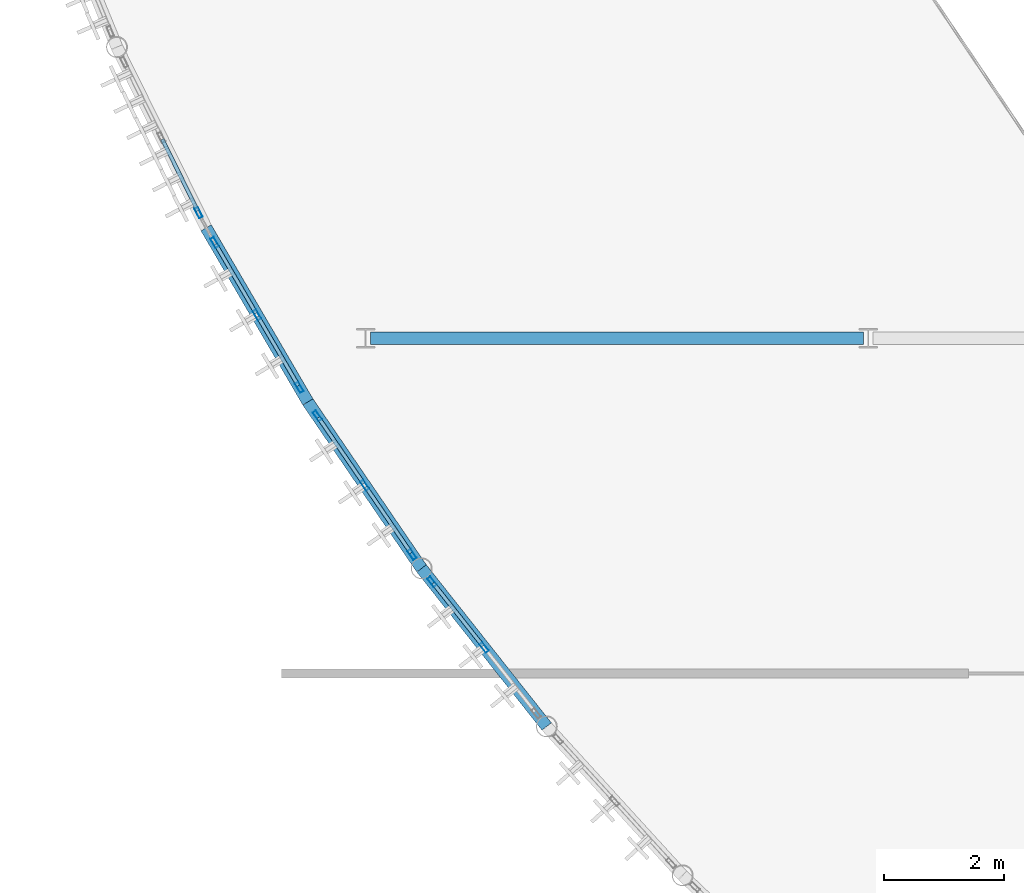
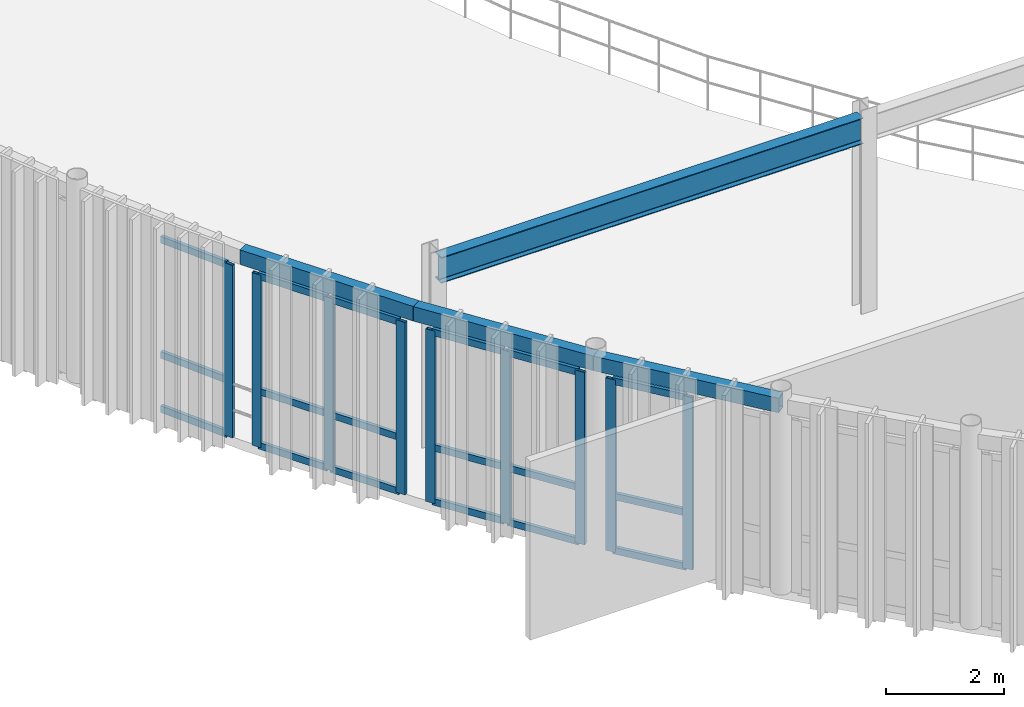
# One storey, part 10 of 32: 27 members, 4 beams, 4 elements without a shape of their own.
"""IFC4 building model written with IfcOpenShell, lengths in metres."""

import ifcopenshell
import ifcopenshell.guid

model = None  # the IFC model being written
_history = None  # IfcOwnerHistory: only IFC2X3 demands one
_inside = {}  # id of a spatial element -> (the spatial element, [elements in it])
_under = {}  # id of a project, library or spatial element -> (it, [spatial elements below it])
_declared = {}  # id of a project -> (the project, [libraries it declares])
_typed = {}  # id of a type object -> (the type object, [elements of that type])
_made_of = {}  # id of a material, layer set ... -> (it, [elements and type objects made of it])


def new_model(schema):
    """Start an empty IFC model of exactly this schema.

    Asked for "IFC4X3", IfcOpenShell would pick the latest addendum, in which some entities
    have other attributes; the version numbers below select the first issue.
    IFC2X3 requires an IfcOwnerHistory on every rooted entity: one is made here for all.
    """
    global model, _history
    if schema == "IFC4X3":
        model = ifcopenshell.file(schema_version=(4, 3, 0, 0))
    else:
        model = ifcopenshell.file(schema=schema)
    _inside.clear()
    _under.clear()
    _declared.clear()
    _typed.clear()
    _made_of.clear()
    _history = None
    if model.schema == "IFC2X3":
        org = make("IfcOrganization", Name="unknown")
        user = make(
            "IfcPersonAndOrganization",
            ThePerson=make("IfcPerson", FamilyName="unknown"),
            TheOrganization=org,
        )
        app = make(
            "IfcApplication",
            ApplicationDeveloper=org,
            Version="unknown",
            ApplicationFullName="unknown",
            ApplicationIdentifier="unknown",
        )
        _history = make(
            "IfcOwnerHistory",
            OwningUser=user,
            OwningApplication=app,
            ChangeAction="ADDED",
            CreationDate=0,
        )
    return model


def make(cls, **values):
    """One entity of the class cls with the attributes given. An attribute that is None is left unset."""
    return model.create_entity(
        cls, **{name: value for name, value in values.items() if value is not None}
    )


def rooted(cls, **values):
    """An entity with a GlobalId (a new one), such as an element, a storey or a relation."""
    return make(cls, GlobalId=ifcopenshell.guid.new(), OwnerHistory=_history, **values)


def si_unit(unit_type, name, prefix=None):
    """IfcSIUnit, for example si_unit("LENGTHUNIT", "METRE", prefix="MILLI")."""
    return make("IfcSIUnit", UnitType=unit_type, Prefix=prefix, Name=name)


def assignment(units):
    """IfcUnitAssignment: the units of a project."""
    return None if units is None else make("IfcUnitAssignment", Units=units)


def point(xyz):
    """IfcCartesianPoint."""
    return None if xyz is None else make("IfcCartesianPoint", Coordinates=xyz)


def direction(xyz):
    """IfcDirection."""
    return None if xyz is None else make("IfcDirection", DirectionRatios=xyz)


def frame(location, z_axis=None, x_axis=None):
    """IfcAxis2Placement3D, a coordinate frame: its origin and axes. An axis left out is left unset."""
    return make(
        "IfcAxis2Placement3D",
        Location=point(location),
        Axis=direction(z_axis),
        RefDirection=direction(x_axis),
    )


def frame_2d(location, x_axis=None):
    """IfcAxis2Placement2D, a coordinate frame in the plane: its origin and x axis."""
    return make(
        "IfcAxis2Placement2D", Location=point(location), RefDirection=direction(x_axis)
    )


def origin():
    """The frame at (0, 0, 0) with its axes left unset."""
    return frame((0.0, 0.0, 0.0))


def origin_2d():
    """The frame at (0, 0) in the plane with its x axis left unset."""
    return frame_2d((0.0, 0.0))


def place(relative_to, where):
    """IfcLocalPlacement: puts the frame where relative to a parent placement (None: the world)."""
    return make(
        "IfcLocalPlacement", PlacementRelTo=relative_to, RelativePlacement=where
    )


def context(
    kind, dimensions, precision=None, world=None, true_north=None, identifier=None
):
    """IfcGeometricRepresentationContext, for example the 3D "Model" context."""
    return make(
        "IfcGeometricRepresentationContext",
        ContextIdentifier=identifier,
        ContextType=kind,
        CoordinateSpaceDimension=dimensions,
        Precision=precision,
        WorldCoordinateSystem=world,
        TrueNorth=true_north,
    )


def subcontext(parent, identifier, kind, view, scale=None):
    """IfcGeometricRepresentationSubContext, for example "Body" below "Model"."""
    return make(
        "IfcGeometricRepresentationSubContext",
        ContextIdentifier=identifier,
        ContextType=kind,
        ParentContext=parent,
        TargetScale=scale,
        TargetView=view,
    )


def project(units=None, contexts=None):
    """IfcProject with its units and contexts."""
    return rooted(
        "IfcProject",
        Name="project",
        RepresentationContexts=contexts,
        UnitsInContext=assignment(units),
    )


def spatial(cls, under=None, at=None, **own):
    """A site, building, storey or space (cls), placed at a placement, below another one or the project."""
    s = rooted(cls, ObjectPlacement=at, **own)
    if under is not None:
        _under.setdefault(under.id(), (under, []))[1].append(s)
    return s


def profile(cls, at=None, kind="AREA", **sizes):
    """A parametric profile (cls). Its sizes go by their IFC names, for example OverallWidth=200.0."""
    return make(cls, ProfileType=kind, Position=at, **sizes)


def hollow_rectangle(**sizes):
    """IfcRectangleHollowProfileDef."""
    return profile("IfcRectangleHollowProfileDef", **sizes)


def i_section(**sizes):
    """IfcIShapeProfileDef."""
    return profile("IfcIShapeProfileDef", **sizes)


def extrude(swept, where, along, depth):
    """IfcExtrudedAreaSolid: the profile swept, set in the frame where, extruded along a direction by depth."""
    return make(
        "IfcExtrudedAreaSolid",
        SweptArea=swept,
        Position=where,
        ExtrudedDirection=direction(along),
        Depth=depth,
    )


def shape(context_of_items, identifier, shape_type, items):
    """IfcShapeRepresentation: the items that make up one representation, for example the "Body"."""
    return make(
        "IfcShapeRepresentation",
        ContextOfItems=context_of_items,
        RepresentationIdentifier=identifier,
        RepresentationType=shape_type,
        Items=items,
    )


def material(Name=None, Category=None):
    """IfcMaterial."""
    return make("IfcMaterial", Name=Name, Category=Category)


def layer(
    of_material, thickness, ventilated=None, Name=None, Category=None, Priority=None
):
    """IfcMaterialLayer: one layer of a wall or slab, of a material (None: an air gap)."""
    return make(
        "IfcMaterialLayer",
        Material=of_material,
        LayerThickness=thickness,
        IsVentilated=ventilated,
        Name=Name,
        Category=Category,
        Priority=Priority,
    )


def layer_set(layers, Name=None):
    """IfcMaterialLayerSet."""
    return make("IfcMaterialLayerSet", MaterialLayers=layers, LayerSetName=Name)


def material_profile(
    of_material, cross_section, Name=None, Category=None, Priority=None
):
    """IfcMaterialProfile: a cross section and its material."""
    return make(
        "IfcMaterialProfile",
        Name=Name,
        Material=of_material,
        Profile=cross_section,
        Priority=Priority,
        Category=Category,
    )


def profile_set(profiles, Name=None, composite=None):
    """IfcMaterialProfileSet."""
    return make(
        "IfcMaterialProfileSet",
        Name=Name,
        MaterialProfiles=profiles,
        CompositeProfile=composite,
    )


def made_of(thing, what):
    """Note that an element or type object is made of a material, layer set ...; save() writes the relation."""
    if what is not None:
        _made_of.setdefault(what.id(), (what, []))[1].append(thing)
    return thing


def type_object(cls, material=None, **own):
    """A type object (cls), such as IfcWallType, which elements share."""
    return made_of(rooted(cls, **own), material)


def element(
    cls,
    number,
    at=None,
    inside=None,
    cuts=None,
    type_object=None,
    material=None,
    context=None,
    identifier="Body",
    shape_type=None,
    held_by="IfcProductDefinitionShape",
    body=None,
    shapes=None,
    **own,
):
    """One element of the class cls, such as IfcWall. Its Tag is "e" and its number.

    at: its placement. inside: the storey or other place that contains it. cuts: it is an
    opening in that element (IfcRelVoidsElement). A single representation is given by context,
    identifier, shape_type and body (its items); several are given by shapes. held_by: the class
    of the entity that holds the representations. save() writes the other relations.
    """
    e = rooted(cls, Tag="e%d" % number, ObjectPlacement=at, **own)
    if body is not None:
        shapes = [shape(context, identifier, shape_type, body)]
    if shapes is not None:
        e.Representation = make(held_by, Representations=shapes)
    if inside is not None:
        _inside.setdefault(inside.id(), (inside, []))[1].append(e)
    if cuts is not None:
        rooted(
            "IfcRelVoidsElement", RelatingBuildingElement=cuts, RelatedOpeningElement=e
        )
    if type_object is not None:
        _typed.setdefault(type_object.id(), (type_object, []))[1].append(e)
    return made_of(e, material)


def aggregate(whole, parts):
    """IfcRelAggregates: a whole, such as a stair, and the parts it consists of."""
    return rooted("IfcRelAggregates", RelatingObject=whole, RelatedObjects=parts)


def save(model, path):
    """Write the relations noted so far, then the file.

    IfcRelAggregates (storeys below a building ...), IfcRelContainedInSpatialStructure (elements
    in a storey), IfcRelDefinesByType, IfcRelAssociatesMaterial and IfcRelDeclares: one each for
    every whole, place, type object, material and project.
    """
    for whole, parts in _under.values():
        aggregate(whole, parts)
    for where, things in _inside.values():
        rooted(
            "IfcRelContainedInSpatialStructure",
            RelatedElements=things,
            RelatingStructure=where,
        )
    for kind, things in _typed.values():
        rooted("IfcRelDefinesByType", RelatedObjects=things, RelatingType=kind)
    for what, things in _made_of.values():
        rooted("IfcRelAssociatesMaterial", RelatedObjects=things, RelatingMaterial=what)
    for by, libraries in _declared.values():
        rooted("IfcRelDeclares", RelatingContext=by, RelatedDefinitions=libraries)
    model.write(path)


model = new_model("IFC4")

# Units and contexts
model_context = context("Model", 3, precision=1e-05, world=origin(), true_north=direction((0.0, 1.0)))
body_context = subcontext(model_context, "Body", "Model", "MODEL_VIEW")
ifc_project = project(units=[si_unit("LENGTHUNIT", "METRE"), si_unit("AREAUNIT", "SQUARE_METRE"), si_unit("VOLUMEUNIT", "CUBIC_METRE"), si_unit("PLANEANGLEUNIT", "RADIAN"), si_unit("MASSUNIT", "GRAM", prefix="KILO")], contexts=[model_context])

# Site, building, storey
site_placement = place(None, origin())
site = spatial("IfcSite", under=ifc_project, at=site_placement, CompositionType="ELEMENT")
building_placement = place(site_placement, origin())
building = spatial("IfcBuilding", under=site, at=building_placement, Name="Selat Folded Stagehouse", CompositionType="ELEMENT")
storey_placement = place(building_placement, frame((0.0, 0.0, 19.199951171875)))
storey = spatial("IfcBuildingStorey", under=building, at=storey_placement, Name="L04", CompositionType="ELEMENT", Elevation=19.199951171875)

# Beam
ifc_material_1 = material(Name="Steel S355", Category="steel")
ifc_material_profile_1 = material_profile(ifc_material_1, i_section(OverallWidth=0.209228515625, OverallDepth=0.533203125, WebThickness=0.010009765625, FlangeThickness=0.015625, FilletRadius=0.0126953125, at=origin_2d()), Name="UKB 533x210x92")
ifc_profile_set_1 = profile_set([ifc_material_profile_1], Name="Steel S355")
beam_type_1 = type_object("IfcBeamType", Name="BM-GIRD-533x210x92", PredefinedType="BEAM", material=ifc_profile_set_1)
beam_1_placement = place(storey_placement, frame((8.47998046875, 23.39990234375, 3.733642578125), z_axis=(1.0, 0.0, 0.0), x_axis=(0.0, 1.0, 0.0)))
element("IfcBeam", 1, at=beam_1_placement, inside=storey, type_object=beam_type_1, Name="L04 primary x-girder 1359", PredefinedType="BEAM", context=body_context, shape_type="SweptSolid", body=[
    extrude(i_section(OverallWidth=0.209228515625, OverallDepth=0.533203125, WebThickness=0.010009765625, FlangeThickness=0.015625, FilletRadius=0.0126953125, at=origin_2d()), origin(), (0.0, 0.0, 1.0), 8.239990234375),
])

# Curtain wall, member
ifc_material_2 = material(Name="Aluminium 6063-T6", Category="aluminium")
ifc_layer = layer(ifc_material_2, 0.18505859375)
ifc_layer_set = layer_set([ifc_layer], Name="Aluminium 6063-T6")
curtain_wall_type = type_object("IfcCurtainWallType", Name="CW-DRM-UPPER", PredefinedType="NOTDEFINED", material=ifc_layer_set)
curtain_wall_1_placement = place(storey_placement, origin())
curtain_wall_1 = element("IfcCurtainWall", 2, at=curtain_wall_1_placement, inside=storey, type_object=curtain_wall_type, Name="L04 curtain wall CW-DRM-L04-08", PredefinedType="NOTDEFINED")
ifc_material_profile_2 = material_profile(ifc_material_2, hollow_rectangle(XDim=0.06494140625, YDim=0.179931640625, WallThickness=0.00390625, at=origin_2d()), Name="ALU 180x65x4.0")
ifc_profile_set_2 = profile_set([ifc_material_profile_2], Name="Aluminium 6063-T6")
member_type_1 = type_object("IfcMemberType", Name="CWM-MUL-180x65", PredefinedType="MULLION", material=ifc_profile_set_2)
member_1_placement = place(storey_placement, frame((5.61083984375, 25.4990234375, 0.0), z_axis=(0.0, 0.0, 1.0), x_axis=(-0.896598356392, -0.442844653705, 0.0)))
member_1 = element("IfcMember", 3, at=member_1_placement, type_object=member_type_1, Name="CW-03 mullion 1", PredefinedType="MULLION", context=body_context, shape_type="SweptSolid", body=[
    extrude(hollow_rectangle(XDim=0.06494140625, YDim=0.179931640625, WallThickness=0.00390625, at=origin_2d()), origin(), (0.0, 0.0, 1.0), 3.56005859375),
])

# Curtain wall, members
curtain_wall_2_placement = place(storey_placement, origin())
curtain_wall_2 = element("IfcCurtainWall", 4, at=curtain_wall_2_placement, inside=storey, type_object=curtain_wall_type, Name="L04 curtain wall CW-DRM-L04-09", PredefinedType="NOTDEFINED")
member_2_placement = place(storey_placement, frame((7.293701171875, 22.5810546875, 0.0), z_axis=(0.0, 0.0, 1.0), x_axis=(-0.863332305214, -0.504635839764, 0.0)))
member_2 = element("IfcMember", 5, at=member_2_placement, type_object=member_type_1, Name="CW-03 mullion 1", PredefinedType="MULLION", context=body_context, shape_type="SweptSolid", body=[
    extrude(hollow_rectangle(XDim=0.06494140625, YDim=0.179931640625, WallThickness=0.00390625, at=origin_2d()), origin(), (0.0, 0.0, 1.0), 3.56005859375),
])
member_3_placement = place(storey_placement, frame((6.586181640625, 23.79150390625, 0.0), z_axis=(0.0, 0.0, 1.0), x_axis=(-0.863332305214, -0.504635839764, 0.0)))
member_3 = element("IfcMember", 6, at=member_3_placement, type_object=member_type_1, Name="CW-03 mullion 2", PredefinedType="MULLION", context=body_context, shape_type="SweptSolid", body=[
    extrude(hollow_rectangle(XDim=0.06494140625, YDim=0.179931640625, WallThickness=0.00390625, at=origin_2d()), origin(), (0.0, 0.0, 1.0), 3.56005859375),
])
member_4_placement = place(storey_placement, frame((5.878662109375, 25.001953125, 0.0), z_axis=(0.0, 0.0, 1.0), x_axis=(-0.863332305214, -0.504635839764, 0.0)))
member_4 = element("IfcMember", 7, at=member_4_placement, type_object=member_type_1, Name="CW-03 mullion 3", PredefinedType="MULLION", context=body_context, shape_type="SweptSolid", body=[
    extrude(hollow_rectangle(XDim=0.06494140625, YDim=0.179931640625, WallThickness=0.00390625, at=origin_2d()), origin(), (0.0, 0.0, 1.0), 3.56005859375),
])

curtain_wall_3_placement = place(storey_placement, origin())
curtain_wall_3 = element("IfcCurtainWall", 8, at=curtain_wall_3_placement, inside=storey, type_object=curtain_wall_type, Name="L04 curtain wall CW-DRM-L04-10", PredefinedType="NOTDEFINED")
member_5_placement = place(storey_placement, frame((9.1767578125, 19.788330078125, 0.0), z_axis=(0.0, 0.0, 1.0), x_axis=(-0.825810483709, -0.563947732504, 0.0)))
member_5 = element("IfcMember", 9, at=member_5_placement, type_object=member_type_1, Name="CW-03 mullion 1", PredefinedType="MULLION", context=body_context, shape_type="SweptSolid", body=[
    extrude(hollow_rectangle(XDim=0.06494140625, YDim=0.179931640625, WallThickness=0.00390625, at=origin_2d()), origin(), (0.0, 0.0, 1.0), 3.56005859375),
])
member_6_placement = place(storey_placement, frame((8.38623046875, 20.946044921875, 0.0), z_axis=(0.0, 0.0, 1.0), x_axis=(-0.825810483709, -0.563947732504, 0.0)))
member_6 = element("IfcMember", 10, at=member_6_placement, type_object=member_type_1, Name="CW-03 mullion 2", PredefinedType="MULLION", context=body_context, shape_type="SweptSolid", body=[
    extrude(hollow_rectangle(XDim=0.06494140625, YDim=0.179931640625, WallThickness=0.00390625, at=origin_2d()), origin(), (0.0, 0.0, 1.0), 3.56005859375),
])
member_7_placement = place(storey_placement, frame((7.595458984375, 22.10400390625, 0.0), z_axis=(0.0, 0.0, 1.0), x_axis=(-0.825810483709, -0.563947732504, 0.0)))
member_7 = element("IfcMember", 11, at=member_7_placement, type_object=member_type_1, Name="CW-03 mullion 3", PredefinedType="MULLION", context=body_context, shape_type="SweptSolid", body=[
    extrude(hollow_rectangle(XDim=0.06494140625, YDim=0.179931640625, WallThickness=0.00390625, at=origin_2d()), origin(), (0.0, 0.0, 1.0), 3.56005859375),
])

curtain_wall_4_placement = place(storey_placement, origin())
curtain_wall_4 = element("IfcCurtainWall", 12, at=curtain_wall_4_placement, inside=storey, type_object=curtain_wall_type, Name="L04 curtain wall CW-DRM-L04-11", PredefinedType="NOTDEFINED")
member_8_placement = place(storey_placement, frame((10.38134765625, 18.234130859375, 0.0), z_axis=(0.0, 0.0, 1.0), x_axis=(-0.784180094825, -0.620533301992, 0.0)))
member_8 = element("IfcMember", 13, at=member_8_placement, type_object=member_type_1, Name="CW-03 mullion 2", PredefinedType="MULLION", context=body_context, shape_type="SweptSolid", body=[
    extrude(hollow_rectangle(XDim=0.06494140625, YDim=0.179931640625, WallThickness=0.00390625, at=origin_2d()), origin(), (0.0, 0.0, 1.0), 3.56005859375),
])
member_9_placement = place(storey_placement, frame((9.511474609375, 19.33349609375, 0.0), z_axis=(0.0, 0.0, 1.0), x_axis=(-0.784180094825, -0.620533301992, 0.0)))
member_9 = element("IfcMember", 14, at=member_9_placement, type_object=member_type_1, Name="CW-03 mullion 3", PredefinedType="MULLION", context=body_context, shape_type="SweptSolid", body=[
    extrude(hollow_rectangle(XDim=0.06494140625, YDim=0.179931640625, WallThickness=0.00390625, at=origin_2d()), origin(), (0.0, 0.0, 1.0), 3.56005859375),
])

# Member
ifc_material_profile_3 = material_profile(ifc_material_2, hollow_rectangle(XDim=0.06494140625, YDim=0.139892578125, WallThickness=0.00390625, at=origin_2d()), Name="ALU 140x65x4.0")
ifc_profile_set_3 = profile_set([ifc_material_profile_3], Name="Aluminium 6063-T6")
member_type_2 = type_object("IfcMemberType", Name="CWM-TRN-140x65", PredefinedType="USERDEFINED", material=ifc_profile_set_3)
member_10_placement = place(storey_placement, frame((5.596435546875, 25.528076171875, 0.032470703125), z_axis=(-0.442825622785, 0.896607755825, 0.0), x_axis=(-0.896607755825, -0.442825622785, 0.0)))
member_10 = element("IfcMember", 15, at=member_10_placement, type_object=member_type_2, Name="CW-03 transom 1.1", ObjectType="TRANSOM", PredefinedType="USERDEFINED", context=body_context, shape_type="SweptSolid", body=[
    extrude(hollow_rectangle(XDim=0.06494140625, YDim=0.139892578125, WallThickness=0.00390625, at=origin_2d()), origin(), (0.0, 0.0, 1.0), 1.3369140625),
])

member_11_placement = place(storey_placement, frame((5.596435546875, 25.528076171875, 1.150146484375), z_axis=(-0.442825622785, 0.896607755825, 0.0), x_axis=(-0.896607755825, -0.442825622785, 0.0)))
member_11 = element("IfcMember", 16, at=member_11_placement, type_object=member_type_2, Name="CW-03 transom 1.2", ObjectType="TRANSOM", PredefinedType="USERDEFINED", context=body_context, shape_type="SweptSolid", body=[
    extrude(hollow_rectangle(XDim=0.06494140625, YDim=0.139892578125, WallThickness=0.00390625, at=origin_2d()), origin(), (0.0, 0.0, 1.0), 1.3369140625),
])

member_12_placement = place(storey_placement, frame((5.596435546875, 25.528076171875, 3.527587890625), z_axis=(-0.442825622785, 0.896607755825, 0.0), x_axis=(-0.896607755825, -0.442825622785, 0.0)))
member_12 = element("IfcMember", 17, at=member_12_placement, type_object=member_type_2, Name="CW-03 transom 1.3", ObjectType="TRANSOM", PredefinedType="USERDEFINED", context=body_context, shape_type="SweptSolid", body=[
    extrude(hollow_rectangle(XDim=0.06494140625, YDim=0.139892578125, WallThickness=0.00390625, at=origin_2d()), origin(), (0.0, 0.0, 1.0), 1.3369140625),
])

aggregate(curtain_wall_1, [member_1, member_10, member_11, member_12])

member_13_placement = place(storey_placement, frame((7.277099609375, 22.609130859375, 0.032470703125), z_axis=(-0.504552109114, 0.863381242088, 0.0), x_axis=(-0.863381242088, -0.504552109114, 0.0)))
member_13 = element("IfcMember", 18, at=member_13_placement, type_object=member_type_2, Name="CW-03 transom 1.1", ObjectType="TRANSOM", PredefinedType="USERDEFINED", context=body_context, shape_type="SweptSolid", body=[
    extrude(hollow_rectangle(XDim=0.06494140625, YDim=0.139892578125, WallThickness=0.00390625, at=origin_2d()), origin(), (0.0, 0.0, 1.0), 1.3369140625),
])

member_14_placement = place(storey_placement, frame((7.277099609375, 22.609130859375, 1.150146484375), z_axis=(-0.504552109114, 0.863381242088, 0.0), x_axis=(-0.863381242088, -0.504552109114, 0.0)))
member_14 = element("IfcMember", 19, at=member_14_placement, type_object=member_type_2, Name="CW-03 transom 1.2", ObjectType="TRANSOM", PredefinedType="USERDEFINED", context=body_context, shape_type="SweptSolid", body=[
    extrude(hollow_rectangle(XDim=0.06494140625, YDim=0.139892578125, WallThickness=0.00390625, at=origin_2d()), origin(), (0.0, 0.0, 1.0), 1.3369140625),
])

member_15_placement = place(storey_placement, frame((7.277099609375, 22.609130859375, 3.527587890625), z_axis=(-0.504552109114, 0.863381242088, 0.0), x_axis=(-0.863381242088, -0.504552109114, 0.0)))
member_15 = element("IfcMember", 20, at=member_15_placement, type_object=member_type_2, Name="CW-03 transom 1.3", ObjectType="TRANSOM", PredefinedType="USERDEFINED", context=body_context, shape_type="SweptSolid", body=[
    extrude(hollow_rectangle(XDim=0.06494140625, YDim=0.139892578125, WallThickness=0.00390625, at=origin_2d()), origin(), (0.0, 0.0, 1.0), 1.3369140625),
])

member_16_placement = place(storey_placement, frame((6.569580078125, 23.819580078125, 0.032470703125), z_axis=(-0.504552109114, 0.863381242088, 0.0), x_axis=(-0.863381242088, -0.504552109114, 0.0)))
member_16 = element("IfcMember", 21, at=member_16_placement, type_object=member_type_2, Name="CW-03 transom 2.1", ObjectType="TRANSOM", PredefinedType="USERDEFINED", context=body_context, shape_type="SweptSolid", body=[
    extrude(hollow_rectangle(XDim=0.06494140625, YDim=0.139892578125, WallThickness=0.00390625, at=origin_2d()), origin(), (0.0, 0.0, 1.0), 1.3369140625),
])

member_17_placement = place(storey_placement, frame((6.569580078125, 23.819580078125, 1.150146484375), z_axis=(-0.504552109114, 0.863381242088, 0.0), x_axis=(-0.863381242088, -0.504552109114, 0.0)))
member_17 = element("IfcMember", 22, at=member_17_placement, type_object=member_type_2, Name="CW-03 transom 2.2", ObjectType="TRANSOM", PredefinedType="USERDEFINED", context=body_context, shape_type="SweptSolid", body=[
    extrude(hollow_rectangle(XDim=0.06494140625, YDim=0.139892578125, WallThickness=0.00390625, at=origin_2d()), origin(), (0.0, 0.0, 1.0), 1.3369140625),
])

member_18_placement = place(storey_placement, frame((6.569580078125, 23.819580078125, 3.527587890625), z_axis=(-0.504552109114, 0.863381242088, 0.0), x_axis=(-0.863381242088, -0.504552109114, 0.0)))
member_18 = element("IfcMember", 23, at=member_18_placement, type_object=member_type_2, Name="CW-03 transom 2.3", ObjectType="TRANSOM", PredefinedType="USERDEFINED", context=body_context, shape_type="SweptSolid", body=[
    extrude(hollow_rectangle(XDim=0.06494140625, YDim=0.139892578125, WallThickness=0.00390625, at=origin_2d()), origin(), (0.0, 0.0, 1.0), 1.3369140625),
])

aggregate(curtain_wall_2, [member_2, member_3, member_4, member_13, member_14, member_15, member_16, member_17, member_18])

member_19_placement = place(storey_placement, frame((9.158447265625, 19.815185546875, 0.032470703125), z_axis=(-0.563937345678, 0.825817576799, 0.0), x_axis=(-0.825817576799, -0.563937345678, 0.0)))
member_19 = element("IfcMember", 24, at=member_19_placement, type_object=member_type_2, Name="CW-03 transom 1.1", ObjectType="TRANSOM", PredefinedType="USERDEFINED", context=body_context, shape_type="SweptSolid", body=[
    extrude(hollow_rectangle(XDim=0.06494140625, YDim=0.139892578125, WallThickness=0.00390625, at=origin_2d()), origin(), (0.0, 0.0, 1.0), 1.3369140625),
])

member_20_placement = place(storey_placement, frame((9.158447265625, 19.815185546875, 1.150146484375), z_axis=(-0.563937345678, 0.825817576799, 0.0), x_axis=(-0.825817576799, -0.563937345678, 0.0)))
member_20 = element("IfcMember", 25, at=member_20_placement, type_object=member_type_2, Name="CW-03 transom 1.2", ObjectType="TRANSOM", PredefinedType="USERDEFINED", context=body_context, shape_type="SweptSolid", body=[
    extrude(hollow_rectangle(XDim=0.06494140625, YDim=0.139892578125, WallThickness=0.00390625, at=origin_2d()), origin(), (0.0, 0.0, 1.0), 1.3369140625),
])

member_21_placement = place(storey_placement, frame((9.158447265625, 19.815185546875, 3.527587890625), z_axis=(-0.563937345678, 0.825817576799, 0.0), x_axis=(-0.825817576799, -0.563937345678, 0.0)))
member_21 = element("IfcMember", 26, at=member_21_placement, type_object=member_type_2, Name="CW-03 transom 1.3", ObjectType="TRANSOM", PredefinedType="USERDEFINED", context=body_context, shape_type="SweptSolid", body=[
    extrude(hollow_rectangle(XDim=0.06494140625, YDim=0.139892578125, WallThickness=0.00390625, at=origin_2d()), origin(), (0.0, 0.0, 1.0), 1.3369140625),
])

member_22_placement = place(storey_placement, frame((8.367919921875, 20.972900390625, 0.032470703125), z_axis=(-0.563976829856, 0.825790612314, 0.0), x_axis=(-0.825790612314, -0.563976829856, 0.0)))
member_22 = element("IfcMember", 27, at=member_22_placement, type_object=member_type_2, Name="CW-03 transom 2.1", ObjectType="TRANSOM", PredefinedType="USERDEFINED", context=body_context, shape_type="SweptSolid", body=[
    extrude(hollow_rectangle(XDim=0.06494140625, YDim=0.139892578125, WallThickness=0.00390625, at=origin_2d()), origin(), (0.0, 0.0, 1.0), 1.337158203125),
])

member_23_placement = place(storey_placement, frame((8.367919921875, 20.972900390625, 1.150146484375), z_axis=(-0.563976829856, 0.825790612314, 0.0), x_axis=(-0.825790612314, -0.563976829856, 0.0)))
member_23 = element("IfcMember", 28, at=member_23_placement, type_object=member_type_2, Name="CW-03 transom 2.2", ObjectType="TRANSOM", PredefinedType="USERDEFINED", context=body_context, shape_type="SweptSolid", body=[
    extrude(hollow_rectangle(XDim=0.06494140625, YDim=0.139892578125, WallThickness=0.00390625, at=origin_2d()), origin(), (0.0, 0.0, 1.0), 1.337158203125),
])

member_24_placement = place(storey_placement, frame((8.367919921875, 20.972900390625, 3.527587890625), z_axis=(-0.563976829856, 0.825790612314, 0.0), x_axis=(-0.825790612314, -0.563976829856, 0.0)))
member_24 = element("IfcMember", 29, at=member_24_placement, type_object=member_type_2, Name="CW-03 transom 2.3", ObjectType="TRANSOM", PredefinedType="USERDEFINED", context=body_context, shape_type="SweptSolid", body=[
    extrude(hollow_rectangle(XDim=0.06494140625, YDim=0.139892578125, WallThickness=0.00390625, at=origin_2d()), origin(), (0.0, 0.0, 1.0), 1.337158203125),
])

aggregate(curtain_wall_3, [member_5, member_6, member_7, member_19, member_20, member_21, member_22, member_23, member_24])

member_25_placement = place(storey_placement, frame((10.361328125, 18.259521484375, 0.032470703125), z_axis=(-0.620455037356, 0.784242020437, 0.0), x_axis=(-0.784242020437, -0.620455037356, 0.0)))
member_25 = element("IfcMember", 30, at=member_25_placement, type_object=member_type_2, Name="CW-03 transom 2.1", ObjectType="TRANSOM", PredefinedType="USERDEFINED", context=body_context, shape_type="SweptSolid", body=[
    extrude(hollow_rectangle(XDim=0.06494140625, YDim=0.139892578125, WallThickness=0.00390625, at=origin_2d()), origin(), (0.0, 0.0, 1.0), 1.337158203125),
])

member_26_placement = place(storey_placement, frame((10.361328125, 18.259521484375, 1.150146484375), z_axis=(-0.620455037356, 0.784242020437, 0.0), x_axis=(-0.784242020437, -0.620455037356, 0.0)))
member_26 = element("IfcMember", 31, at=member_26_placement, type_object=member_type_2, Name="CW-03 transom 2.2", ObjectType="TRANSOM", PredefinedType="USERDEFINED", context=body_context, shape_type="SweptSolid", body=[
    extrude(hollow_rectangle(XDim=0.06494140625, YDim=0.139892578125, WallThickness=0.00390625, at=origin_2d()), origin(), (0.0, 0.0, 1.0), 1.337158203125),
])

member_27_placement = place(storey_placement, frame((10.361328125, 18.259521484375, 3.527587890625), z_axis=(-0.620455037356, 0.784242020437, 0.0), x_axis=(-0.784242020437, -0.620455037356, 0.0)))
member_27 = element("IfcMember", 32, at=member_27_placement, type_object=member_type_2, Name="CW-03 transom 2.3", ObjectType="TRANSOM", PredefinedType="USERDEFINED", context=body_context, shape_type="SweptSolid", body=[
    extrude(hollow_rectangle(XDim=0.06494140625, YDim=0.139892578125, WallThickness=0.00390625, at=origin_2d()), origin(), (0.0, 0.0, 1.0), 1.337158203125),
])

aggregate(curtain_wall_4, [member_8, member_9, member_25, member_26, member_27])

# Beams
ifc_material_profile_4 = material_profile(ifc_material_1, hollow_rectangle(XDim=0.199951171875, YDim=0.300048828125, WallThickness=0.012451171875, at=origin_2d()), Name="RHS 300x200x12.5")
ifc_profile_set_4 = profile_set([ifc_material_profile_4], Name="Steel S355")
beam_type_2 = type_object("IfcBeamType", Name="SPD-RHS-300x200", PredefinedType="SPANDREL", material=ifc_profile_set_4)
for number, where, z_axis, x_axis, name in (
    (33, (5.736083984375, 25.24560546875, 3.85009765625), (0.504668336107, -0.863313309599, 0.0), (0.863313309599, 0.504668336107, 0.0), "L04 curved drum spandrel beam 10"),
    (34, (7.436279296875, 22.337158203125, 3.85009765625), (0.563964056933, -0.825799335485, 0.0), (0.825799335485, 0.563964056933, 0.0), "L04 curved drum spandrel beam 11"),
):
    element("IfcBeam", number, at=place(storey_placement, frame(where, z_axis=z_axis, x_axis=x_axis)), inside=storey, type_object=beam_type_2, Name=name, PredefinedType="SPANDREL", context=body_context, shape_type="SweptSolid", body=[
        extrude(hollow_rectangle(XDim=0.199951171875, YDim=0.300048828125, WallThickness=0.012451171875, at=origin_2d()), origin(), (0.0, 0.0, 1.0), 3.368896484375),
    ])
beam_2_placement = place(storey_placement, frame((9.336181640625, 19.55517578125, 3.85009765625), z_axis=(0.62050618255, -0.784201554077, 0.0), x_axis=(0.784201554077, 0.62050618255, 0.0)))
element("IfcBeam", 35, at=beam_2_placement, inside=storey, type_object=beam_type_2, Name="L04 curved drum spandrel beam 12", PredefinedType="SPANDREL", context=body_context, shape_type="SweptSolid", body=[
    extrude(hollow_rectangle(XDim=0.199951171875, YDim=0.300048828125, WallThickness=0.012451171875, at=origin_2d()), origin(), (0.0, 0.0, 1.0), 3.369140625),
])

save(model, "model.ifc")
